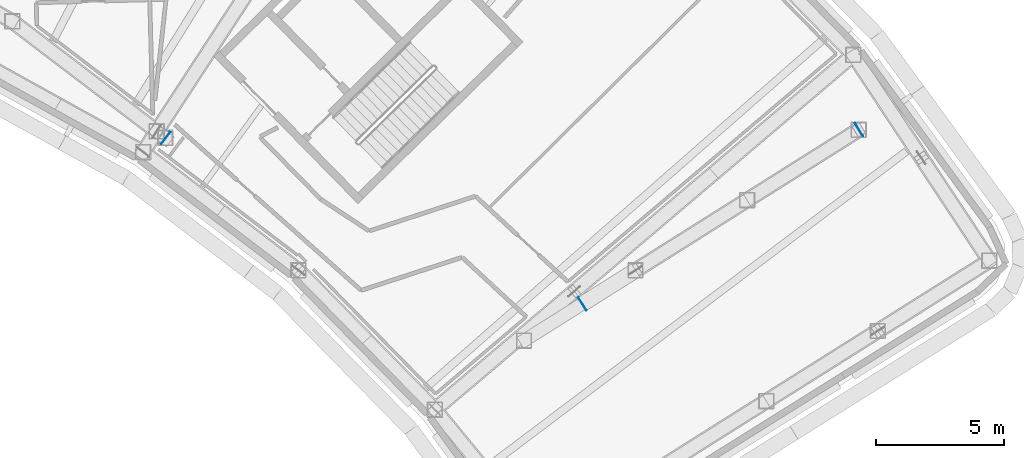
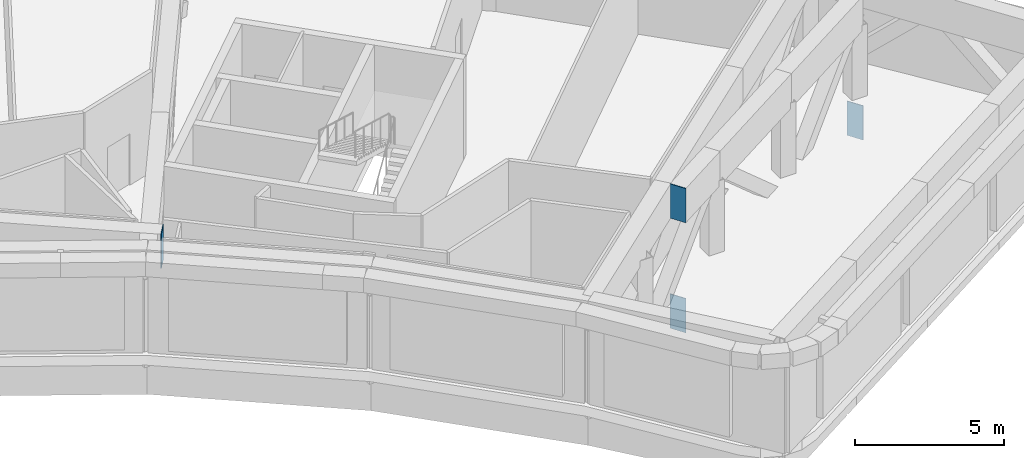
# One storey, part 14 of 24: 4 discrete accessories.
"""IFC4 building model written with IfcOpenShell, lengths in metres."""

from ifc_helpers import new_model, si_unit, direction, frame, origin, origin_2d, place, context, subcontext, project, spatial, rectangle, extrude, material, type_object, element, save


model = new_model("IFC4")

# Units and contexts
model_context = context("Model", 3, precision=1e-05, world=origin(), true_north=direction((0.0, 1.0)))
body_context = subcontext(model_context, "Body", "Model", "MODEL_VIEW")
ifc_project = project(units=[si_unit("LENGTHUNIT", "METRE"), si_unit("AREAUNIT", "SQUARE_METRE"), si_unit("VOLUMEUNIT", "CUBIC_METRE"), si_unit("PLANEANGLEUNIT", "RADIAN"), si_unit("MASSUNIT", "GRAM", prefix="KILO")], contexts=[model_context])

# Site, building, storey
site_placement = place(None, origin())
site = spatial("IfcSite", under=ifc_project, at=site_placement, CompositionType="ELEMENT")
building_placement = place(site_placement, origin())
building = spatial("IfcBuilding", under=site, at=building_placement, Name="Tuul Gate Civic Tower", CompositionType="ELEMENT")
storey_placement = place(building_placement, frame((0.0, 0.0, 243.89990234375)))
storey = spatial("IfcBuildingStorey", under=building, at=storey_placement, Name="Plant and refuge floor 6", CompositionType="ELEMENT", Elevation=243.89990234375)

# Discrete accessories
ifc_material = material(Name="Steel S355", Category="steel")
discrete_accessory_type = type_object("IfcDiscreteAccessoryType", Name="End cap plate", PredefinedType="BRACKET", material=ifc_material)
for number, where, z_axis, x_axis, name in (
    (1, (40.632080078125, -15.8818359375, 2.7001953125), (0.0, 0.0, 1.0), (0.795616135693, -0.605801093284, 0.0), "End cap plate"),
    (2, (56.855712890625, -22.335693359375, -1.7998046875), (0.0, 0.0, 1.0), (0.846187288195, 0.532885609956, 0.0), "End cap plate"),
    (3, (56.855712890625, -22.335693359375, 2.7001953125), (0.0, 0.0, 1.0), (0.846187288195, 0.532885609956, 0.0), "End cap plate"),
    (4, (67.623779296875, -15.554931640625, -1.7998046875), (0.0, 0.0, 1.0), (0.84627513954, 0.532746082291, 0.0), "End cap plate"),
):
    element("IfcDiscreteAccessory", number, at=place(storey_placement, frame(where, z_axis=z_axis, x_axis=x_axis)), inside=storey, type_object=discrete_accessory_type, Name=name, PredefinedType="BRACKET", context=body_context, shape_type="SweptSolid", body=[
        extrude(rectangle(XDim=0.030029296875, YDim=0.60009765625, at=origin_2d()), origin(), (0.0, 0.0, 1.0), 1.39990234375),
    ])

save(model, "model.ifc")
